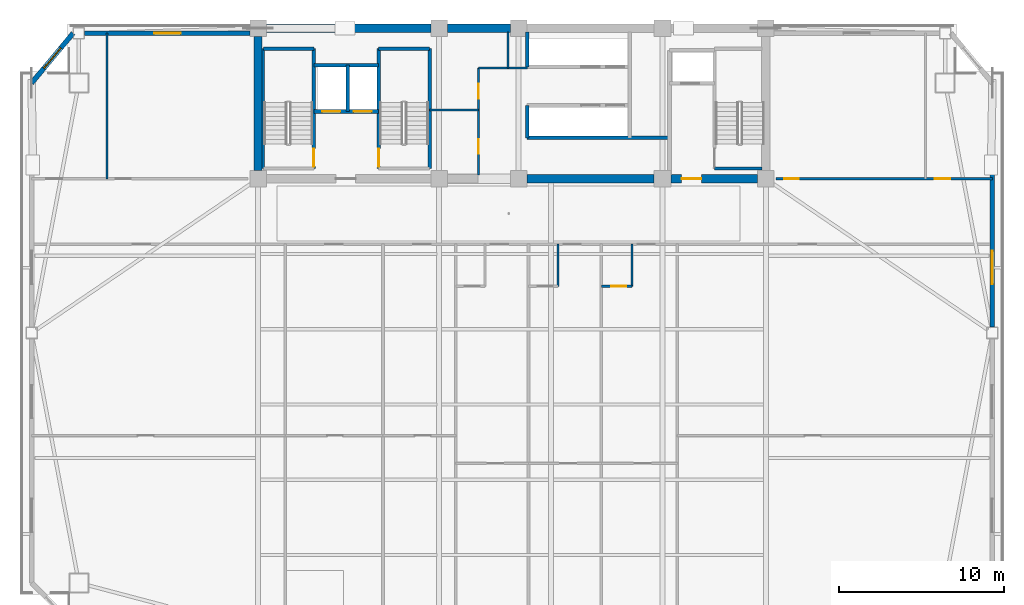
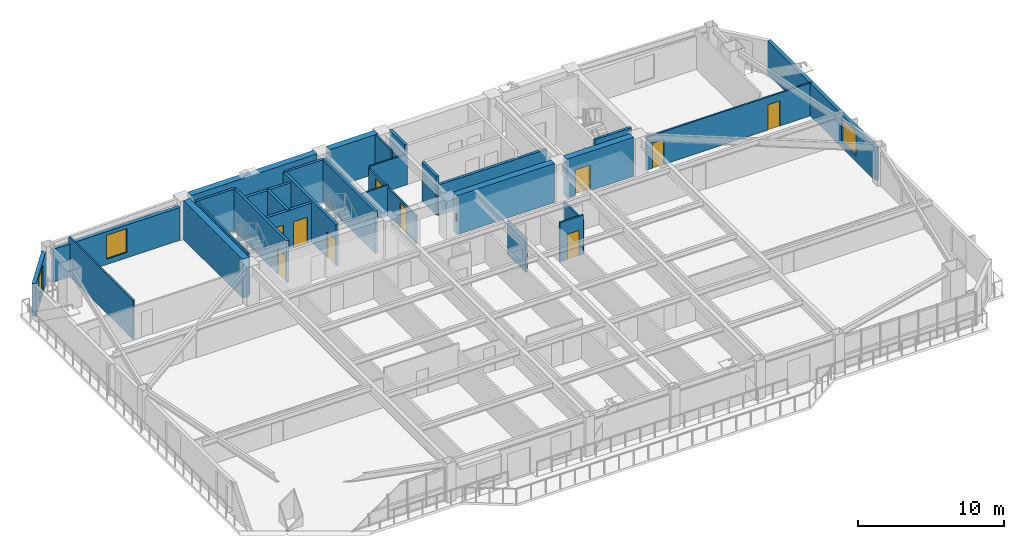
# One storey, part 9 of 15: 30 walls, 10 doors, 3 windows, 13 openings.
"""IFC4 building model written with IfcOpenShell, lengths in metres."""

import ifcopenshell
import ifcopenshell.guid

model = None  # the IFC model being written
_history = None  # IfcOwnerHistory: only IFC2X3 demands one
_inside = {}  # id of a spatial element -> (the spatial element, [elements in it])
_under = {}  # id of a project, library or spatial element -> (it, [spatial elements below it])
_declared = {}  # id of a project -> (the project, [libraries it declares])
_typed = {}  # id of a type object -> (the type object, [elements of that type])
_made_of = {}  # id of a material, layer set ... -> (it, [elements and type objects made of it])


def new_model(schema):
    """Start an empty IFC model of exactly this schema.

    Asked for "IFC4X3", IfcOpenShell would pick the latest addendum, in which some entities
    have other attributes; the version numbers below select the first issue.
    IFC2X3 requires an IfcOwnerHistory on every rooted entity: one is made here for all.
    """
    global model, _history
    if schema == "IFC4X3":
        model = ifcopenshell.file(schema_version=(4, 3, 0, 0))
    else:
        model = ifcopenshell.file(schema=schema)
    _inside.clear()
    _under.clear()
    _declared.clear()
    _typed.clear()
    _made_of.clear()
    _history = None
    if model.schema == "IFC2X3":
        org = make("IfcOrganization", Name="unknown")
        user = make(
            "IfcPersonAndOrganization",
            ThePerson=make("IfcPerson", FamilyName="unknown"),
            TheOrganization=org,
        )
        app = make(
            "IfcApplication",
            ApplicationDeveloper=org,
            Version="unknown",
            ApplicationFullName="unknown",
            ApplicationIdentifier="unknown",
        )
        _history = make(
            "IfcOwnerHistory",
            OwningUser=user,
            OwningApplication=app,
            ChangeAction="ADDED",
            CreationDate=0,
        )
    return model


def make(cls, **values):
    """One entity of the class cls with the attributes given. An attribute that is None is left unset."""
    return model.create_entity(
        cls, **{name: value for name, value in values.items() if value is not None}
    )


def rooted(cls, **values):
    """An entity with a GlobalId (a new one), such as an element, a storey or a relation."""
    return make(cls, GlobalId=ifcopenshell.guid.new(), OwnerHistory=_history, **values)


def si_unit(unit_type, name, prefix=None):
    """IfcSIUnit, for example si_unit("LENGTHUNIT", "METRE", prefix="MILLI")."""
    return make("IfcSIUnit", UnitType=unit_type, Prefix=prefix, Name=name)


def assignment(units):
    """IfcUnitAssignment: the units of a project."""
    return None if units is None else make("IfcUnitAssignment", Units=units)


def point(xyz):
    """IfcCartesianPoint."""
    return None if xyz is None else make("IfcCartesianPoint", Coordinates=xyz)


def direction(xyz):
    """IfcDirection."""
    return None if xyz is None else make("IfcDirection", DirectionRatios=xyz)


def frame(location, z_axis=None, x_axis=None):
    """IfcAxis2Placement3D, a coordinate frame: its origin and axes. An axis left out is left unset."""
    return make(
        "IfcAxis2Placement3D",
        Location=point(location),
        Axis=direction(z_axis),
        RefDirection=direction(x_axis),
    )


def frame_2d(location, x_axis=None):
    """IfcAxis2Placement2D, a coordinate frame in the plane: its origin and x axis."""
    return make(
        "IfcAxis2Placement2D", Location=point(location), RefDirection=direction(x_axis)
    )


def origin():
    """The frame at (0, 0, 0) with its axes left unset."""
    return frame((0.0, 0.0, 0.0))


def place(relative_to, where):
    """IfcLocalPlacement: puts the frame where relative to a parent placement (None: the world)."""
    return make(
        "IfcLocalPlacement", PlacementRelTo=relative_to, RelativePlacement=where
    )


def context(
    kind, dimensions, precision=None, world=None, true_north=None, identifier=None
):
    """IfcGeometricRepresentationContext, for example the 3D "Model" context."""
    return make(
        "IfcGeometricRepresentationContext",
        ContextIdentifier=identifier,
        ContextType=kind,
        CoordinateSpaceDimension=dimensions,
        Precision=precision,
        WorldCoordinateSystem=world,
        TrueNorth=true_north,
    )


def subcontext(parent, identifier, kind, view, scale=None):
    """IfcGeometricRepresentationSubContext, for example "Body" below "Model"."""
    return make(
        "IfcGeometricRepresentationSubContext",
        ContextIdentifier=identifier,
        ContextType=kind,
        ParentContext=parent,
        TargetScale=scale,
        TargetView=view,
    )


def project(units=None, contexts=None):
    """IfcProject with its units and contexts."""
    return rooted(
        "IfcProject",
        Name="project",
        RepresentationContexts=contexts,
        UnitsInContext=assignment(units),
    )


def spatial(cls, under=None, at=None, **own):
    """A site, building, storey or space (cls), placed at a placement, below another one or the project."""
    s = rooted(cls, ObjectPlacement=at, **own)
    if under is not None:
        _under.setdefault(under.id(), (under, []))[1].append(s)
    return s


def profile(cls, at=None, kind="AREA", **sizes):
    """A parametric profile (cls). Its sizes go by their IFC names, for example OverallWidth=200.0."""
    return make(cls, ProfileType=kind, Position=at, **sizes)


def rectangle(**sizes):
    """IfcRectangleProfileDef."""
    return profile("IfcRectangleProfileDef", **sizes)


def extrude(swept, where, along, depth):
    """IfcExtrudedAreaSolid: the profile swept, set in the frame where, extruded along a direction by depth."""
    return make(
        "IfcExtrudedAreaSolid",
        SweptArea=swept,
        Position=where,
        ExtrudedDirection=direction(along),
        Depth=depth,
    )


def shape(context_of_items, identifier, shape_type, items):
    """IfcShapeRepresentation: the items that make up one representation, for example the "Body"."""
    return make(
        "IfcShapeRepresentation",
        ContextOfItems=context_of_items,
        RepresentationIdentifier=identifier,
        RepresentationType=shape_type,
        Items=items,
    )


def source(mapping_origin, context_of_items, identifier, shape_type, items):
    """IfcRepresentationMap: a shape defined once, which mapped items show again and again."""
    return make(
        "IfcRepresentationMap",
        MappingOrigin=mapping_origin,
        MappedRepresentation=shape(context_of_items, identifier, shape_type, items),
    )


def transform(
    local_origin,
    x_axis=None,
    y_axis=None,
    z_axis=None,
    scale=None,
    scale2=None,
    scale3=None,
    uniform=True,
):
    """IfcCartesianTransformationOperator3D, or its non-uniform kind. x_axis, y_axis, z_axis: its Axis1, 2, 3."""
    if uniform:
        return make(
            "IfcCartesianTransformationOperator3D",
            Axis1=direction(x_axis),
            Axis2=direction(y_axis),
            LocalOrigin=point(local_origin),
            Scale=scale,
            Axis3=direction(z_axis),
        )
    return make(
        "IfcCartesianTransformationOperator3DnonUniform",
        Axis1=direction(x_axis),
        Axis2=direction(y_axis),
        LocalOrigin=point(local_origin),
        Scale=scale,
        Axis3=direction(z_axis),
        Scale2=scale2,
        Scale3=scale3,
    )


def mapped(mapping_source, mapping_target):
    """IfcMappedItem: shows the shape of a source again, moved by a transform."""
    return make(
        "IfcMappedItem", MappingSource=mapping_source, MappingTarget=mapping_target
    )


def material(Name=None, Category=None):
    """IfcMaterial."""
    return make("IfcMaterial", Name=Name, Category=Category)


def layer(
    of_material, thickness, ventilated=None, Name=None, Category=None, Priority=None
):
    """IfcMaterialLayer: one layer of a wall or slab, of a material (None: an air gap)."""
    return make(
        "IfcMaterialLayer",
        Material=of_material,
        LayerThickness=thickness,
        IsVentilated=ventilated,
        Name=Name,
        Category=Category,
        Priority=Priority,
    )


def layer_set(layers, Name=None):
    """IfcMaterialLayerSet."""
    return make("IfcMaterialLayerSet", MaterialLayers=layers, LayerSetName=Name)


def made_of(thing, what):
    """Note that an element or type object is made of a material, layer set ...; save() writes the relation."""
    if what is not None:
        _made_of.setdefault(what.id(), (what, []))[1].append(thing)
    return thing


def type_object(cls, material=None, **own):
    """A type object (cls), such as IfcWallType, which elements share."""
    return made_of(rooted(cls, **own), material)


def element(
    cls,
    number,
    at=None,
    inside=None,
    cuts=None,
    type_object=None,
    material=None,
    context=None,
    identifier="Body",
    shape_type=None,
    held_by="IfcProductDefinitionShape",
    body=None,
    shapes=None,
    **own,
):
    """One element of the class cls, such as IfcWall. Its Tag is "e" and its number.

    at: its placement. inside: the storey or other place that contains it. cuts: it is an
    opening in that element (IfcRelVoidsElement). A single representation is given by context,
    identifier, shape_type and body (its items); several are given by shapes. held_by: the class
    of the entity that holds the representations. save() writes the other relations.
    """
    e = rooted(cls, Tag="e%d" % number, ObjectPlacement=at, **own)
    if body is not None:
        shapes = [shape(context, identifier, shape_type, body)]
    if shapes is not None:
        e.Representation = make(held_by, Representations=shapes)
    if inside is not None:
        _inside.setdefault(inside.id(), (inside, []))[1].append(e)
    if cuts is not None:
        rooted(
            "IfcRelVoidsElement", RelatingBuildingElement=cuts, RelatedOpeningElement=e
        )
    if type_object is not None:
        _typed.setdefault(type_object.id(), (type_object, []))[1].append(e)
    return made_of(e, material)


def fill(opening, filler):
    """IfcRelFillsElement: the door or window that sits in an opening."""
    return rooted(
        "IfcRelFillsElement",
        RelatingOpeningElement=opening,
        RelatedBuildingElement=filler,
    )


def aggregate(whole, parts):
    """IfcRelAggregates: a whole, such as a stair, and the parts it consists of."""
    return rooted("IfcRelAggregates", RelatingObject=whole, RelatedObjects=parts)


def save(model, path):
    """Write the relations noted so far, then the file.

    IfcRelAggregates (storeys below a building ...), IfcRelContainedInSpatialStructure (elements
    in a storey), IfcRelDefinesByType, IfcRelAssociatesMaterial and IfcRelDeclares: one each for
    every whole, place, type object, material and project.
    """
    for whole, parts in _under.values():
        aggregate(whole, parts)
    for where, things in _inside.values():
        rooted(
            "IfcRelContainedInSpatialStructure",
            RelatedElements=things,
            RelatingStructure=where,
        )
    for kind, things in _typed.values():
        rooted("IfcRelDefinesByType", RelatedObjects=things, RelatingType=kind)
    for what, things in _made_of.values():
        rooted("IfcRelAssociatesMaterial", RelatedObjects=things, RelatingMaterial=what)
    for by, libraries in _declared.values():
        rooted("IfcRelDeclares", RelatingContext=by, RelatedDefinitions=libraries)
    model.write(path)


model = new_model("IFC4")

# Units and contexts
model_context = context("Model", 3, precision=1e-05, world=origin(), true_north=direction((0.0, 1.0)))
body_context = subcontext(model_context, "Body", "Model", "MODEL_VIEW")
ifc_project = project(units=[si_unit("LENGTHUNIT", "METRE"), si_unit("AREAUNIT", "SQUARE_METRE"), si_unit("VOLUMEUNIT", "CUBIC_METRE"), si_unit("PLANEANGLEUNIT", "RADIAN"), si_unit("MASSUNIT", "GRAM", prefix="KILO")], contexts=[model_context])

# Site, building, storey
site_placement = place(None, origin())
site = spatial("IfcSite", under=ifc_project, at=site_placement, CompositionType="ELEMENT")
building_placement = place(site_placement, origin())
building = spatial("IfcBuilding", under=site, at=building_placement, Name="Giltprow Tower", CompositionType="ELEMENT")
storey_placement = place(building_placement, frame((0.0, 0.0, 180.699951171875)))
storey = spatial("IfcBuildingStorey", under=building, at=storey_placement, Name="L45", CompositionType="ELEMENT", Elevation=180.699951171875)

# Wall, opening, window
ifc_material_1 = material(Name="Precast concrete C40", Category="concrete")
ifc_layer_1 = layer(ifc_material_1, 0.300048828125, Name="Precast concrete C40")
ifc_layer_set_1 = layer_set([ifc_layer_1], Name="Precast concrete C40")
wall_type_1 = type_object("IfcWallType", Name="EW-NOTCH-CHAMFER-300", PredefinedType="SOLIDWALL", material=ifc_layer_set_1)
wall_1_placement = place(storey_placement, frame((8.6650390625, 46.25, 0.0), z_axis=(0.0, 0.0, 1.0), x_axis=(-0.640459985381, -0.767991541051, 0.0)))
wall_1 = element("IfcWall", 1, at=wall_1_placement, inside=storey, type_object=wall_type_1, Name="L45 Corner Notch Wall NW", PredefinedType="SOLIDWALL", context=body_context, shape_type="SweptSolid", body=[
    extrude(rectangle(XDim=3.920654296875, YDim=0.300048828125, at=frame_2d((1.96044921875, 0.0))), origin(), (0.0, 0.0, 1.0), 2.75),
])
opening_1_placement = place(wall_1_placement, frame((1.159912109375, 0.0, 0.449951171875)))
opening_1 = element("IfcOpeningElement", 2, at=opening_1_placement, cuts=wall_1, Name="Opening WN17", PredefinedType="OPENING", context=body_context, shape_type="SweptSolid", body=[
    extrude(rectangle(XDim=1.60009765625, YDim=2.0, at=frame_2d((0.800048828125, 1.0))), frame((0.0, 0.159912109375, 0.0), z_axis=(0.0, -1.0, 0.0), x_axis=(1.0, 0.0, 0.0)), (0.0, 0.0, 1.0), 0.320068359375),
])
ifc_material_2 = material(Name="Insulated glass", Category="glass")
window_type_1 = type_object("IfcWindowType", Name="WN-COR-1600x2000", PartitioningType="SINGLE_PANEL", PredefinedType="WINDOW", material=ifc_material_2)
shared_shape_1 = source(origin(), body_context, "Body", "SweptSolid", [
    extrude(rectangle(XDim=1.60009765625, YDim=2.0, at=frame_2d((0.800048828125, 1.0))), frame((0.0, 0.030029296875, 0.0), z_axis=(0.0, -1.0, 0.0), x_axis=(1.0, 0.0, 0.0)), (0.0, 0.0, 1.0), 0.06005859375),
])
window_1_placement = place(opening_1_placement, origin())
window_1 = element("IfcWindow", 3, at=window_1_placement, inside=storey, type_object=window_type_1, Name="L45 Corner Notch Window NW", OverallHeight=2.0, OverallWidth=1.60009765625, PartitioningType="SINGLE_PANEL", PredefinedType="WINDOW", context=body_context, shape_type="MappedRepresentation", body=[
    mapped(shared_shape_1, transform((0.0, 0.0, 0.0), x_axis=(1.0, 0.0, 0.0), y_axis=(0.0, 1.0, 0.0), z_axis=(0.0, 0.0, 1.0), scale=1.0)),
])
fill(opening_1, window_1)

ifc_layer_2 = layer(ifc_material_1, 0.280029296875, Name="Precast concrete C40")
ifc_layer_set_2 = layer_set([ifc_layer_2], Name="Precast concrete C40")
wall_type_2 = type_object("IfcWallType", Name="EW-TOW-BRONZE-280", PredefinedType="SOLIDWALL", material=ifc_layer_set_2)
wall_2_placement = place(storey_placement, frame((64.2470703125, 28.47705078125, 0.0), z_axis=(0.0, 0.0, 1.0), x_axis=(0.0, 1.0, 0.0)))
wall_2 = element("IfcWall", 4, at=wall_2_placement, inside=storey, type_object=wall_type_2, Name="L45 E Wing Masonry Wall 2", PredefinedType="SOLIDWALL", context=body_context, shape_type="SweptSolid", body=[
    extrude(rectangle(XDim=14.761962890625, YDim=0.280029296875, at=frame_2d((7.380859375, 0.0))), origin(), (0.0, 0.0, 1.0), 2.75),
])
opening_2_placement = place(wall_2_placement, frame((2.60791015625, 0.0, 0.449951171875)))
opening_2 = element("IfcOpeningElement", 5, at=opening_2_placement, cuts=wall_2, Name="Opening WN21", PredefinedType="OPENING", context=body_context, shape_type="SweptSolid", body=[
    extrude(rectangle(XDim=2.0, YDim=2.0, at=frame_2d((1.0, 1.0))), frame((0.0, 0.14990234375, 0.0), z_axis=(0.0, -1.0, 0.0), x_axis=(1.0, 0.0, 0.0)), (0.0, 0.0, 1.0), 0.300048828125),
])
window_type_2 = type_object("IfcWindowType", Name="WN-HTL-2000x2000", PartitioningType="DOUBLE_PANEL_VERTICAL", PredefinedType="WINDOW", material=ifc_material_2)
shared_shape_2 = source(origin(), body_context, "Body", "SweptSolid", [
    extrude(rectangle(XDim=2.0, YDim=2.0, at=frame_2d((1.0, 1.0))), frame((0.0, 0.030029296875, 0.0), z_axis=(0.0, -1.0, 0.0), x_axis=(1.0, 0.0, 0.0)), (0.0, 0.0, 1.0), 0.06005859375),
])
window_2_placement = place(opening_2_placement, origin())
window_2 = element("IfcWindow", 6, at=window_2_placement, inside=storey, type_object=window_type_2, Name="L45 E Wing Window 2-1", OverallHeight=2.0, OverallWidth=2.0, PartitioningType="SINGLE_PANEL", PredefinedType="WINDOW", context=body_context, shape_type="MappedRepresentation", body=[
    mapped(shared_shape_2, transform((0.0, 0.0, 0.0), x_axis=(1.0, 0.0, 0.0), y_axis=(0.0, 1.0, 0.0), z_axis=(0.0, 0.0, 1.0), scale=1.0)),
])
fill(opening_2, window_2)

wall_3_placement = place(storey_placement, frame((9.364990234375, 46.25, 0.0), z_axis=(0.0, 0.0, 1.0), x_axis=(1.0, 0.0, 0.0)))
wall_3 = element("IfcWall", 7, at=wall_3_placement, inside=storey, type_object=wall_type_2, Name="L45 North-West Wing Wall", PredefinedType="SOLIDWALL", context=body_context, shape_type="SweptSolid", body=[
    extrude(rectangle(XDim=9.985107421875, YDim=0.280029296875, at=frame_2d((4.99267578125, 0.0))), origin(), (0.0, 0.0, 1.0), 2.75),
])
opening_3_placement = place(wall_3_placement, frame((4.193115234375, 0.0, 0.449951171875)))
opening_3 = element("IfcOpeningElement", 8, at=opening_3_placement, cuts=wall_3, Name="Opening WN17", PredefinedType="OPENING", context=body_context, shape_type="SweptSolid", body=[
    extrude(rectangle(XDim=1.60009765625, YDim=2.0, at=frame_2d((0.800048828125, 1.0))), frame((0.0, 0.14990234375, 0.0), z_axis=(0.0, -1.0, 0.0), x_axis=(1.0, 0.0, 0.0)), (0.0, 0.0, 1.0), 0.300048828125),
])
window_3_placement = place(opening_3_placement, origin())
window_3 = element("IfcWindow", 9, at=window_3_placement, inside=storey, type_object=window_type_1, Name="L45 North-West Window", OverallHeight=2.0, OverallWidth=1.60009765625, PartitioningType="SINGLE_PANEL", PredefinedType="WINDOW", context=body_context, shape_type="MappedRepresentation", body=[
    mapped(shared_shape_1, transform((0.0, 0.0, 0.0), x_axis=(1.0, 0.0, 0.0), y_axis=(0.0, 1.0, 0.0), z_axis=(0.0, 0.0, 1.0), scale=1.0)),
])
fill(opening_3, window_3)

# Wall, openings, doors
ifc_material_3 = material(Name="Concrete C40", Category="concrete")
ifc_layer_3 = layer(ifc_material_3, 0.219970703125, Name="Concrete C40")
ifc_layer_set_3 = layer_set([ifc_layer_3], Name="Concrete C40")
wall_type_3 = type_object("IfcWallType", Name="IW-SHAFT-220", PredefinedType="SOLIDWALL", material=ifc_layer_set_3)
wall_4_placement = place(storey_placement, frame((23.219970703125, 41.52001953125, 0.0), z_axis=(0.0, 0.0, 1.0), x_axis=(1.0, 0.0, 0.0)))
wall_4 = element("IfcWall", 10, at=wall_4_placement, inside=storey, type_object=wall_type_3, Name="L45 FFL1 and Service Lift Front Wall", PredefinedType="SOLIDWALL", context=body_context, shape_type="SweptSolid", body=[
    extrude(rectangle(XDim=3.919921875, YDim=0.219970703125, at=frame_2d((1.9599609375, 0.0))), origin(), (0.0, 0.0, 1.0), 3.27001953125),
])
opening_4_placement = place(wall_4_placement, frame((0.5, 0.0, 0.0)))
opening_4 = element("IfcOpeningElement", 11, at=opening_4_placement, cuts=wall_4, Name="Opening LD-11", PredefinedType="OPENING", context=body_context, shape_type="SweptSolid", body=[
    extrude(rectangle(XDim=1.10009765625, YDim=2.199951171875, at=frame_2d((0.550048828125, 1.10009765625))), frame((0.0, 0.119873046875, 0.0), z_axis=(0.0, -1.0, 0.0), x_axis=(1.0, 0.0, 0.0)), (0.0, 0.0, 1.0), 0.239990234375),
])
opening_5_placement = place(wall_4_placement, frame((2.39990234375, 0.0, 0.0)))
opening_5 = element("IfcOpeningElement", 12, at=opening_5_placement, cuts=wall_4, Name="Opening LD-11", PredefinedType="OPENING", context=body_context, shape_type="SweptSolid", body=[
    extrude(rectangle(XDim=1.10009765625, YDim=2.199951171875, at=frame_2d((0.550048828125, 1.10009765625))), frame((0.0, 0.119873046875, 0.0), z_axis=(0.0, -1.0, 0.0), x_axis=(1.0, 0.0, 0.0)), (0.0, 0.0, 1.0), 0.239990234375),
])
ifc_material_4 = material(Name="Stainless steel", Category="steel")
door_type_1 = type_object("IfcDoorType", Name="DR-LIFT-LD1100", OperationType="SLIDING_TO_LEFT", PredefinedType="DOOR", material=ifc_material_4)
shared_shape_3 = source(origin(), body_context, "Body", "SweptSolid", [
    extrude(rectangle(XDim=1.10009765625, YDim=2.199951171875, at=frame_2d((0.550048828125, 1.10009765625))), frame((0.0, 0.02490234375, 0.0), z_axis=(0.0, -1.0, 0.0), x_axis=(1.0, 0.0, 0.0)), (0.0, 0.0, 1.0), 0.050048828125),
])
door_1_placement = place(opening_4_placement, origin())
door_1 = element("IfcDoor", 13, at=door_1_placement, inside=storey, type_object=door_type_1, Name="L45 FFL1 Landing Door", OperationType="SLIDING_TO_LEFT", OverallHeight=2.199951171875, OverallWidth=1.10009765625, PredefinedType="DOOR", context=body_context, shape_type="MappedRepresentation", body=[
    mapped(shared_shape_3, transform((0.0, 0.0, 0.0), x_axis=(1.0, 0.0, 0.0), y_axis=(0.0, 1.0, 0.0), z_axis=(0.0, 0.0, 1.0), scale=1.0)),
])
fill(opening_4, door_1)
door_2_placement = place(opening_5_placement, origin())
door_2 = element("IfcDoor", 14, at=door_2_placement, inside=storey, type_object=door_type_1, Name="L45 SVL1 Landing Door", OperationType="SLIDING_TO_LEFT", OverallHeight=2.199951171875, OverallWidth=1.10009765625, PredefinedType="DOOR", context=body_context, shape_type="MappedRepresentation", body=[
    mapped(shared_shape_3, transform((0.0, 0.0, 0.0), x_axis=(1.0, 0.0, 0.0), y_axis=(0.0, 1.0, 0.0), z_axis=(0.0, 0.0, 1.0), scale=1.0)),
])
fill(opening_5, door_2)

# Walls
wall_5_placement = place(storey_placement, frame((25.260009765625, 41.52001953125, 0.0), z_axis=(0.0, 0.0, 1.0), x_axis=(0.0, 1.0, 0.0)))
element("IfcWall", 15, at=wall_5_placement, inside=storey, type_object=wall_type_3, Name="L45 FFL1-SVL1 Shaft Divider", PredefinedType="SOLIDWALL", context=body_context, shape_type="SweptSolid", body=[
    extrude(rectangle(XDim=2.800048828125, YDim=0.219970703125, at=frame_2d((1.39990234375, 0.0))), origin(), (0.0, 0.0, 1.0), 3.27001953125),
])
wall_6_placement = place(storey_placement, frame((23.219970703125, 44.320068359375, 0.0), z_axis=(0.0, 0.0, 1.0), x_axis=(1.0, 0.0, 0.0)))
element("IfcWall", 16, at=wall_6_placement, inside=storey, type_object=wall_type_3, Name="L45 FFL1-SVL1 Back Shaft Wall", PredefinedType="SOLIDWALL", context=body_context, shape_type="SweptSolid", body=[
    extrude(rectangle(XDim=3.919921875, YDim=0.219970703125, at=frame_2d((1.9599609375, 0.0))), origin(), (0.0, 0.0, 1.0), 3.27001953125),
])
wall_7_placement = place(storey_placement, frame((36.1201171875, 39.919921875, 0.0), z_axis=(0.0, 0.0, 1.0), x_axis=(1.0, 0.0, 0.0)))
element("IfcWall", 17, at=wall_7_placement, inside=storey, type_object=wall_type_3, Name="L45 Mid-Rise South Lift Back Wall", PredefinedType="SOLIDWALL", context=body_context, shape_type="SweptSolid", body=[
    extrude(rectangle(XDim=8.599853515625, YDim=0.219970703125, at=frame_2d((4.2998046875, 0.0))), origin(), (0.0, 0.0, 1.0), 2.554931640625),
])
wall_8_placement = place(storey_placement, frame((36.1201171875, 39.919921875, 0.0), z_axis=(0.0, 0.0, 1.0), x_axis=(0.0, 1.0, 0.0)))
element("IfcWall", 18, at=wall_8_placement, inside=storey, type_object=wall_type_3, Name="L45 Mid-Rise South Lift West Closure", PredefinedType="SOLIDWALL", context=body_context, shape_type="SweptSolid", body=[
    extrude(rectangle(XDim=1.9599609375, YDim=0.219970703125, at=frame_2d((0.97998046875, 0.0))), origin(), (0.0, 0.0, 1.0), 3.27001953125),
])
wall_9_placement = place(storey_placement, frame((36.1201171875, 44.219970703125, 0.0), z_axis=(0.0, 0.0, 1.0), x_axis=(0.0, 1.0, 0.0)))
element("IfcWall", 19, at=wall_9_placement, inside=storey, type_object=wall_type_3, Name="L45 Mid-Rise North Lift West Closure", PredefinedType="SOLIDWALL", context=body_context, shape_type="SweptSolid", body=[
    extrude(rectangle(XDim=2.10009765625, YDim=0.219970703125, at=frame_2d((1.050048828125, 0.0))), origin(), (0.0, 0.0, 1.0), 3.27001953125),
])
ifc_material_5 = material(Name="Concrete C45", Category="concrete")
ifc_layer_4 = layer(ifc_material_5, 0.139892578125, Name="Concrete C45")
ifc_layer_set_4 = layer_set([ifc_layer_4], Name="Concrete C45")
wall_type_4 = type_object("IfcWallType", Name="IW-STAIR-140", PredefinedType="SOLIDWALL", material=ifc_layer_set_4)
wall_10_placement = place(storey_placement, frame((20.169921875, 38.070068359375, 0.0), z_axis=(0.0, 0.0, 1.0), x_axis=(0.0, 1.0, 0.0)))
element("IfcWall", 20, at=wall_10_placement, inside=storey, type_object=wall_type_4, Name="L45 Stair ST-1 West Bearing Wall", PredefinedType="SOLIDWALL", context=body_context, shape_type="SweptSolid", body=[
    extrude(rectangle(XDim=7.25, YDim=0.139892578125, at=frame_2d((3.625, 0.0))), origin(), (0.0, 0.0, 1.0), 3.5),
])

# Wall, opening, door
ifc_layer_5 = layer(ifc_material_3, 0.199951171875, Name="Concrete C40")
ifc_layer_set_5 = layer_set([ifc_layer_5], Name="Concrete C40")
wall_type_5 = type_object("IfcWallType", Name="IW-STAIR-200", PredefinedType="SOLIDWALL", material=ifc_layer_set_5)
wall_11_placement = place(storey_placement, frame((23.219970703125, 38.070068359375, 0.0), z_axis=(0.0, 0.0, 1.0), x_axis=(0.0, 1.0, 0.0)))
wall_11 = element("IfcWall", 21, at=wall_11_placement, inside=storey, type_object=wall_type_5, Name="L45 Stair ST-1 East Bearing Wall", PredefinedType="SOLIDWALL", context=body_context, shape_type="SweptSolid", body=[
    extrude(rectangle(XDim=7.25, YDim=0.199951171875, at=frame_2d((3.625, 0.0))), origin(), (0.0, 0.0, 1.0), 3.5),
])
opening_6_placement = place(wall_11_placement, frame((0.110107421875, 0.0, 0.0)))
opening_6 = element("IfcOpeningElement", 22, at=opening_6_placement, cuts=wall_11, Name="Opening ID33", PredefinedType="OPENING", context=body_context, shape_type="SweptSolid", body=[
    extrude(rectangle(XDim=1.10009765625, YDim=2.14990234375, at=frame_2d((0.550048828125, 1.074951171875))), frame((0.0, 0.10986328125, 0.0), z_axis=(0.0, -1.0, 0.0), x_axis=(1.0, 0.0, 0.0)), (0.0, 0.0, 1.0), 0.219970703125),
])
ifc_material_6 = material(Name="Steel fire leaf", Category="steel")
door_type_2 = type_object("IfcDoorType", Name="DR-STAIR-1100", OperationType="SINGLE_SWING_LEFT", PredefinedType="DOOR", material=ifc_material_6)
shared_shape_4 = source(origin(), body_context, "Body", "SweptSolid", [
    extrude(rectangle(XDim=1.10009765625, YDim=2.14990234375, at=frame_2d((0.550048828125, 1.074951171875))), frame((0.0, 0.02490234375, 0.0), z_axis=(0.0, -1.0, 0.0), x_axis=(1.0, 0.0, 0.0)), (0.0, 0.0, 1.0), 0.050048828125),
])
door_3_placement = place(opening_6_placement, origin())
door_3 = element("IfcDoor", 23, at=door_3_placement, inside=storey, type_object=door_type_2, Name="L45 Stair ST-1 Fire Door", OperationType="SINGLE_SWING_LEFT", OverallHeight=2.14990234375, OverallWidth=1.10009765625, PredefinedType="DOOR", context=body_context, shape_type="MappedRepresentation", body=[
    mapped(shared_shape_4, transform((0.0, 0.0, 0.0), x_axis=(1.0, 0.0, 0.0), y_axis=(0.0, 1.0, 0.0), z_axis=(0.0, 0.0, 1.0), scale=1.0)),
])
fill(opening_6, door_3)

# Wall
wall_12_placement = place(storey_placement, frame((20.169921875, 45.320068359375, 0.0), z_axis=(0.0, 0.0, 1.0), x_axis=(1.0, 0.0, 0.0)))
element("IfcWall", 24, at=wall_12_placement, inside=storey, type_object=wall_type_5, Name="L45 Stair ST-1 North Bearing Wall", PredefinedType="SOLIDWALL", context=body_context, shape_type="SweptSolid", body=[
    extrude(rectangle(XDim=3.050048828125, YDim=0.199951171875, at=frame_2d((1.52490234375, 0.0))), origin(), (0.0, 0.0, 1.0), 3.5),
])

# Wall, opening, door
wall_13_placement = place(storey_placement, frame((27.139892578125, 38.070068359375, 0.0), z_axis=(0.0, 0.0, 1.0), x_axis=(0.0, 1.0, 0.0)))
wall_13 = element("IfcWall", 25, at=wall_13_placement, inside=storey, type_object=wall_type_5, Name="L45 Stair ST-2 West Bearing Wall", PredefinedType="SOLIDWALL", context=body_context, shape_type="SweptSolid", body=[
    extrude(rectangle(XDim=7.25, YDim=0.199951171875, at=frame_2d((3.625, 0.0))), origin(), (0.0, 0.0, 1.0), 3.5),
])
opening_7_placement = place(wall_13_placement, frame((0.110107421875, 0.0, 0.0)))
opening_7 = element("IfcOpeningElement", 26, at=opening_7_placement, cuts=wall_13, Name="Opening ID33", PredefinedType="OPENING", context=body_context, shape_type="SweptSolid", body=[
    extrude(rectangle(XDim=1.10009765625, YDim=2.14990234375, at=frame_2d((0.550048828125, 1.074951171875))), frame((0.0, 0.10986328125, 0.0), z_axis=(0.0, -1.0, 0.0), x_axis=(1.0, 0.0, 0.0)), (0.0, 0.0, 1.0), 0.219970703125),
])
door_4_placement = place(opening_7_placement, origin())
door_4 = element("IfcDoor", 27, at=door_4_placement, inside=storey, type_object=door_type_2, Name="L45 Stair ST-2 Fire Door", OperationType="SINGLE_SWING_RIGHT", OverallHeight=2.14990234375, OverallWidth=1.10009765625, PredefinedType="DOOR", context=body_context, shape_type="MappedRepresentation", body=[
    mapped(shared_shape_4, transform((0.0, 0.0, 0.0), x_axis=(1.0, 0.0, 0.0), y_axis=(0.0, 1.0, 0.0), z_axis=(0.0, 0.0, 1.0), scale=1.0)),
])
fill(opening_7, door_4)

# Walls
wall_14_placement = place(storey_placement, frame((30.219970703125, 38.070068359375, 0.0), z_axis=(0.0, 0.0, 1.0), x_axis=(0.0, 1.0, 0.0)))
element("IfcWall", 28, at=wall_14_placement, inside=storey, type_object=wall_type_5, Name="L45 Stair ST-2 East Bearing Wall", PredefinedType="SOLIDWALL", context=body_context, shape_type="SweptSolid", body=[
    extrude(rectangle(XDim=7.25, YDim=0.199951171875, at=frame_2d((3.625, 0.0))), origin(), (0.0, 0.0, 1.0), 3.5),
])
wall_15_placement = place(storey_placement, frame((27.139892578125, 45.320068359375, 0.0), z_axis=(0.0, 0.0, 1.0), x_axis=(1.0, 0.0, 0.0)))
element("IfcWall", 29, at=wall_15_placement, inside=storey, type_object=wall_type_5, Name="L45 Stair ST-2 North Bearing Wall", PredefinedType="SOLIDWALL", context=body_context, shape_type="SweptSolid", body=[
    extrude(rectangle(XDim=3.080078125, YDim=0.199951171875, at=frame_2d((1.5400390625, 0.0))), origin(), (0.0, 0.0, 1.0), 3.5),
])
wall_16_placement = place(storey_placement, frame((47.43994140625, 38.070068359375, 0.0), z_axis=(0.0, 0.0, 1.0), x_axis=(1.0, 0.0, 0.0)))
element("IfcWall", 30, at=wall_16_placement, inside=storey, type_object=wall_type_5, Name="L45 Stair ST-3 South Bearing Wall", PredefinedType="SOLIDWALL", context=body_context, shape_type="SweptSolid", body=[
    extrude(rectangle(XDim=2.880126953125, YDim=0.199951171875, at=frame_2d((1.43994140625, 0.0))), origin(), (0.0, 0.0, 1.0), 3.5),
])

# Wall, openings, doors
ifc_material_7 = material(Name="Concrete C30", Category="concrete")
ifc_layer_6 = layer(ifc_material_7, 0.1298828125, Name="Concrete C30")
ifc_layer_set_6 = layer_set([ifc_layer_6], Name="Concrete C30")
wall_type_6 = type_object("IfcWallType", Name="IW-WET-130", PredefinedType="PARTITIONING", material=ifc_layer_set_6)
wall_17_placement = place(storey_placement, frame((33.179931640625, 37.679931640625, 0.0), z_axis=(0.0, 0.0, 1.0), x_axis=(0.0, 1.0, 0.0)))
wall_17 = element("IfcWall", 31, at=wall_17_placement, inside=storey, type_object=wall_type_6, Name="L45 Reclaimed Core Room East Wall", PredefinedType="PARTITIONING", context=body_context, shape_type="SweptSolid", body=[
    extrude(rectangle(XDim=6.469970703125, YDim=0.1298828125, at=frame_2d((3.23486328125, 0.0))), origin(), (0.0, 0.0, 1.0), 2.35498046875),
])
opening_8_placement = place(wall_17_placement, frame((1.27001953125, 0.0, 0.0)))
opening_8 = element("IfcOpeningElement", 32, at=opening_8_placement, cuts=wall_17, Name="Opening ID35", PredefinedType="OPENING", context=body_context, shape_type="SweptSolid", body=[
    extrude(rectangle(XDim=0.89990234375, YDim=2.10009765625, at=frame_2d((0.449951171875, 1.050048828125))), frame((0.0, 0.074951171875, 0.0), z_axis=(0.0, -1.0, 0.0), x_axis=(1.0, 0.0, 0.0)), (0.0, 0.0, 1.0), 0.14990234375),
])
opening_9_placement = place(wall_17_placement, frame((4.6201171875, 0.0, 0.0)))
opening_9 = element("IfcOpeningElement", 33, at=opening_9_placement, cuts=wall_17, Name="Opening ID35", PredefinedType="OPENING", context=body_context, shape_type="SweptSolid", body=[
    extrude(rectangle(XDim=0.89990234375, YDim=2.10009765625, at=frame_2d((0.449951171875, 1.050048828125))), frame((0.0, 0.074951171875, 0.0), z_axis=(0.0, -1.0, 0.0), x_axis=(1.0, 0.0, 0.0)), (0.0, 0.0, 1.0), 0.14990234375),
])
door_type_3 = type_object("IfcDoorType", Name="DR-SHAFT-900", OperationType="SINGLE_SWING_LEFT", PredefinedType="DOOR", material=ifc_material_6)
shared_shape_5 = source(origin(), body_context, "Body", "SweptSolid", [
    extrude(rectangle(XDim=0.89990234375, YDim=2.10009765625, at=frame_2d((0.449951171875, 1.050048828125))), frame((0.0, 0.02490234375, 0.0), z_axis=(0.0, -1.0, 0.0), x_axis=(1.0, 0.0, 0.0)), (0.0, 0.0, 1.0), 0.050048828125),
])
door_5_placement = place(opening_8_placement, origin())
door_5 = element("IfcDoor", 34, at=door_5_placement, inside=storey, type_object=door_type_3, Name="L45 Housekeeping Room Door", OperationType="SINGLE_SWING_RIGHT", OverallHeight=2.10009765625, OverallWidth=0.89990234375, PredefinedType="DOOR", context=body_context, shape_type="MappedRepresentation", body=[
    mapped(shared_shape_5, transform((0.0, 0.0, 0.0), x_axis=(1.0, 0.0, 0.0), y_axis=(0.0, 1.0, 0.0), z_axis=(0.0, 0.0, 1.0), scale=1.0)),
])
fill(opening_8, door_5)
door_6_placement = place(opening_9_placement, origin())
door_6 = element("IfcDoor", 35, at=door_6_placement, inside=storey, type_object=door_type_3, Name="L45 Core Staff Washroom Door", OperationType="SINGLE_SWING_LEFT", OverallHeight=2.10009765625, OverallWidth=0.89990234375, PredefinedType="DOOR", context=body_context, shape_type="MappedRepresentation", body=[
    mapped(shared_shape_5, transform((0.0, 0.0, 0.0), x_axis=(1.0, 0.0, 0.0), y_axis=(0.0, 1.0, 0.0), z_axis=(0.0, 0.0, 1.0), scale=1.0)),
])
fill(opening_9, door_6)

# Walls
wall_18_placement = place(storey_placement, frame((34.949951171875, 44.14990234375, 0.0), z_axis=(0.0, 0.0, 1.0), x_axis=(0.0, 1.0, 0.0)))
element("IfcWall", 36, at=wall_18_placement, inside=storey, type_object=wall_type_6, Name="L45 Reclaimed North Pocket East Wall", PredefinedType="PARTITIONING", context=body_context, shape_type="SweptSolid", body=[
    extrude(rectangle(XDim=2.170166015625, YDim=0.1298828125, at=frame_2d((1.0849609375, 0.0))), origin(), (0.0, 0.0, 1.0), 3.27001953125),
])
wall_19_placement = place(storey_placement, frame((33.179931640625, 44.14990234375, 0.0), z_axis=(0.0, 0.0, 1.0), x_axis=(1.0, 0.0, 0.0)))
element("IfcWall", 37, at=wall_19_placement, inside=storey, type_object=wall_type_6, Name="L45 Reclaimed North Pocket South Wall", PredefinedType="PARTITIONING", context=body_context, shape_type="SweptSolid", body=[
    extrude(rectangle(XDim=2.969970703125, YDim=0.1298828125, at=frame_2d((1.48486328125, 0.0))), origin(), (0.0, 0.0, 1.0), 2.554931640625),
])
wall_20_placement = place(storey_placement, frame((30.219970703125, 41.60009765625, 0.0), z_axis=(0.0, 0.0, 1.0), x_axis=(1.0, 0.0, 0.0)))
element("IfcWall", 38, at=wall_20_placement, inside=storey, type_object=wall_type_6, Name="L45 Core Housekeeping Split", PredefinedType="PARTITIONING", context=body_context, shape_type="SweptSolid", body=[
    extrude(rectangle(XDim=2.9599609375, YDim=0.1298828125, at=frame_2d((1.47998046875, 0.0))), origin(), (0.0, 0.0, 1.0), 2.554931640625),
])
wall_21_placement = place(storey_placement, frame((37.97607421875, 30.949951171875, 0.0), z_axis=(0.0, 0.0, 1.0), x_axis=(0.0, 1.0, 0.0)))
element("IfcWall", 39, at=wall_21_placement, inside=storey, type_object=wall_type_6, Name="L45 En-Suite East Wall 5", PredefinedType="PARTITIONING", context=body_context, shape_type="SweptSolid", body=[
    extrude(rectangle(XDim=2.550048828125, YDim=0.1298828125, at=frame_2d((1.27490234375, 0.0))), origin(), (0.0, 0.0, 1.0), 2.804931640625),
])

# Wall, opening, door
wall_22_placement = place(storey_placement, frame((40.60009765625, 30.949951171875, 0.0), z_axis=(0.0, 0.0, 1.0), x_axis=(1.0, 0.0, 0.0)))
wall_22 = element("IfcWall", 40, at=wall_22_placement, inside=storey, type_object=wall_type_6, Name="L45 En-Suite South Wall 6", PredefinedType="PARTITIONING", context=body_context, shape_type="SweptSolid", body=[
    extrude(rectangle(XDim=1.85595703125, YDim=0.1298828125, at=frame_2d((0.927978515625, 0.0))), origin(), (0.0, 0.0, 1.0), 3.27001953125),
])
opening_10_placement = place(wall_22_placement, frame((0.597900390625, 0.0, 0.0)))
opening_10 = element("IfcOpeningElement", 41, at=opening_10_placement, cuts=wall_22, Name="Opening ID15", PredefinedType="OPENING", context=body_context, shape_type="SweptSolid", body=[
    extrude(rectangle(XDim=0.89990234375, YDim=2.10009765625, at=frame_2d((0.449951171875, 1.050048828125))), frame((0.0, 0.074951171875, 0.0), z_axis=(0.0, -1.0, 0.0), x_axis=(1.0, 0.0, 0.0)), (0.0, 0.0, 1.0), 0.14990234375),
])
ifc_material_8 = material(Name="Engineered timber", Category="wood")
door_type_4 = type_object("IfcDoorType", Name="DR-WC-900", OperationType="SINGLE_SWING_LEFT", PredefinedType="DOOR", material=ifc_material_8)
door_7_placement = place(opening_10_placement, origin())
door_7 = element("IfcDoor", 42, at=door_7_placement, inside=storey, type_object=door_type_4, Name="L45 En-Suite 6 Door", OperationType="SINGLE_SWING_LEFT", OverallHeight=2.10009765625, OverallWidth=0.89990234375, PredefinedType="DOOR", context=body_context, shape_type="MappedRepresentation", body=[
    mapped(shared_shape_5, transform((0.0, 0.0, 0.0), x_axis=(1.0, 0.0, 0.0), y_axis=(0.0, 1.0, 0.0), z_axis=(0.0, 0.0, 1.0), scale=1.0)),
])
fill(opening_10, door_7)

# Walls
wall_23_placement = place(storey_placement, frame((42.4560546875, 30.949951171875, 0.0), z_axis=(0.0, 0.0, 1.0), x_axis=(0.0, 1.0, 0.0)))
element("IfcWall", 43, at=wall_23_placement, inside=storey, type_object=wall_type_6, Name="L45 En-Suite East Wall 6", PredefinedType="PARTITIONING", context=body_context, shape_type="SweptSolid", body=[
    extrude(rectangle(XDim=2.550048828125, YDim=0.1298828125, at=frame_2d((1.27490234375, 0.0))), origin(), (0.0, 0.0, 1.0), 2.804931640625),
])
wall_24_placement = place(storey_placement, frame((10.705078125, 37.449951171875, 0.0), z_axis=(0.0, 0.0, 1.0), x_axis=(0.0, 1.0, 0.0)))
element("IfcWall", 44, at=wall_24_placement, inside=storey, type_object=wall_type_6, Name="L45 NW Wing Divider", PredefinedType="PARTITIONING", context=body_context, shape_type="SweptSolid", body=[
    extrude(rectangle(XDim=8.800048828125, YDim=0.1298828125, at=frame_2d((4.39990234375, 0.0))), origin(), (0.0, 0.0, 1.0), 3.27001953125),
])

# Wall, openings, doors
wall_25_placement = place(storey_placement, frame((51.14990234375, 37.449951171875, 0.0), z_axis=(0.0, 0.0, 1.0), x_axis=(1.0, 0.0, 0.0)))
wall_25 = element("IfcWall", 45, at=wall_25_placement, inside=storey, type_object=wall_type_6, Name="L45 NE Wing South Wall", PredefinedType="PARTITIONING", context=body_context, shape_type="SweptSolid", body=[
    extrude(rectangle(XDim=13.09716796875, YDim=0.1298828125, at=frame_2d((6.548583984375, 0.0))), origin(), (0.0, 0.0, 1.0), 2.755126953125),
])
opening_11_placement = place(wall_25_placement, frame((0.5, 0.0, 0.0)))
opening_11 = element("IfcOpeningElement", 46, at=opening_11_placement, cuts=wall_25, Name="Opening ID15", PredefinedType="OPENING", context=body_context, shape_type="SweptSolid", body=[
    extrude(rectangle(XDim=0.89990234375, YDim=2.10009765625, at=frame_2d((0.449951171875, 1.050048828125))), frame((0.0, 0.074951171875, 0.0), z_axis=(0.0, -1.0, 0.0), x_axis=(1.0, 0.0, 0.0)), (0.0, 0.0, 1.0), 0.14990234375),
])
opening_12_placement = place(wall_25_placement, frame((9.60791015625, 0.0, 0.0)))
opening_12 = element("IfcOpeningElement", 47, at=opening_12_placement, cuts=wall_25, Name="Opening ID11", PredefinedType="OPENING", context=body_context, shape_type="SweptSolid", body=[
    extrude(rectangle(XDim=0.949951171875, YDim=2.10009765625, at=frame_2d((0.47509765625, 1.050048828125))), frame((0.0, 0.074951171875, 0.0), z_axis=(0.0, -1.0, 0.0), x_axis=(1.0, 0.0, 0.0)), (0.0, 0.0, 1.0), 0.14990234375),
])
door_8_placement = place(opening_11_placement, origin())
door_8 = element("IfcDoor", 48, at=door_8_placement, inside=storey, type_object=door_type_4, Name="L45 East Wing Washroom Door", OperationType="SINGLE_SWING_RIGHT", OverallHeight=2.10009765625, OverallWidth=0.89990234375, PredefinedType="DOOR", context=body_context, shape_type="MappedRepresentation", body=[
    mapped(shared_shape_5, transform((0.0, 0.0, 0.0), x_axis=(1.0, 0.0, 0.0), y_axis=(0.0, 1.0, 0.0), z_axis=(0.0, 0.0, 1.0), scale=1.0)),
])
fill(opening_11, door_8)
door_type_5 = type_object("IfcDoorType", Name="DR-ROOM-950", OperationType="SINGLE_SWING_RIGHT", PredefinedType="DOOR", material=ifc_material_8)
shared_shape_6 = source(origin(), body_context, "Body", "SweptSolid", [
    extrude(rectangle(XDim=0.949951171875, YDim=2.10009765625, at=frame_2d((0.47509765625, 1.050048828125))), frame((0.0, 0.02490234375, 0.0), z_axis=(0.0, -1.0, 0.0), x_axis=(1.0, 0.0, 0.0)), (0.0, 0.0, 1.0), 0.050048828125),
])
door_9_placement = place(opening_12_placement, origin())
door_9 = element("IfcDoor", 49, at=door_9_placement, inside=storey, type_object=door_type_5, Name="L45 Hotel Floor Linen Store Door", OperationType="SINGLE_SWING_RIGHT", OverallHeight=2.10009765625, OverallWidth=0.949951171875, PredefinedType="DOOR", context=body_context, shape_type="MappedRepresentation", body=[
    mapped(shared_shape_6, transform((0.0, 0.0, 0.0), x_axis=(1.0, 0.0, 0.0), y_axis=(0.0, 1.0, 0.0), z_axis=(0.0, 0.0, 1.0), scale=1.0)),
])
fill(opening_12, door_9)

# Walls
ifc_material_9 = material(Name="Concrete C50", Category="concrete")
ifc_layer_7 = layer(ifc_material_9, 0.5, Name="Concrete C50")
ifc_layer_set_7 = layer_set([ifc_layer_7], Name="Concrete C50")
wall_type_7 = type_object("IfcWallType", Name="SW-EXT-500-C50", PredefinedType="SHEAR", material=ifc_layer_set_7)
wall_26_placement = place(storey_placement, frame((20.35009765625, 46.550048828125, 0.0), z_axis=(0.0, 0.0, 1.0), x_axis=(1.0, 0.0, 0.0)))
element("IfcWall", 50, at=wall_26_placement, inside=storey, type_object=wall_type_7, Name="L45 North Rear Core Shear Wall 1", PredefinedType="SHEAR", context=body_context, shape_type="SweptSolid", body=[
    extrude(rectangle(XDim=9.949951171875, YDim=0.5, at=frame_2d((4.97509765625, 0.0))), origin(), (0.0, 0.0, 1.0), 3.27001953125),
])
wall_27_placement = place(storey_placement, frame((31.300048828125, 46.550048828125, 0.0), z_axis=(0.0, 0.0, 1.0), x_axis=(1.0, 0.0, 0.0)))
element("IfcWall", 51, at=wall_27_placement, inside=storey, type_object=wall_type_7, Name="L45 North Rear Core Shear Wall 2", PredefinedType="SHEAR", context=body_context, shape_type="SweptSolid", body=[
    extrude(rectangle(XDim=3.800048828125, YDim=0.5, at=frame_2d((1.89990234375, 0.0))), origin(), (0.0, 0.0, 1.0), 3.27001953125),
])
ifc_layer_8 = layer(ifc_material_9, 0.5, Name="Concrete C50")
ifc_layer_set_8 = layer_set([ifc_layer_8], Name="Concrete C50")
wall_type_8 = type_object("IfcWallType", Name="SW-INT-500-C50", PredefinedType="SHEAR", material=ifc_layer_set_8)
wall_28_placement = place(storey_placement, frame((36.10009765625, 37.449951171875, 0.0), z_axis=(0.0, 0.0, 1.0), x_axis=(1.0, 0.0, 0.0)))
element("IfcWall", 52, at=wall_28_placement, inside=storey, type_object=wall_type_8, Name="L45 South Rear Core Shear Wall Mid-East", PredefinedType="SHEAR", context=body_context, shape_type="SweptSolid", body=[
    extrude(rectangle(XDim=7.699951171875, YDim=0.5, at=frame_2d((3.85009765625, 0.0))), origin(), (0.0, 0.0, 1.0), 3.27001953125),
])

# Wall, opening, door
wall_29_placement = place(storey_placement, frame((44.800048828125, 37.449951171875, 0.0), z_axis=(0.0, 0.0, 1.0), x_axis=(1.0, 0.0, 0.0)))
wall_29 = element("IfcWall", 53, at=wall_29_placement, inside=storey, type_object=wall_type_8, Name="L45 South Rear Core Shear Wall East", PredefinedType="SHEAR", context=body_context, shape_type="SweptSolid", body=[
    extrude(rectangle(XDim=5.25, YDim=0.5, at=frame_2d((2.625, 0.0))), origin(), (0.0, 0.0, 1.0), 3.27001953125),
])
opening_13_placement = place(wall_29_placement, frame((0.64990234375, 0.0, 0.0)))
opening_13 = element("IfcOpeningElement", 54, at=opening_13_placement, cuts=wall_29, Name="Opening ID19", PredefinedType="OPENING", context=body_context, shape_type="SweptSolid", body=[
    extrude(rectangle(XDim=1.199951171875, YDim=2.14990234375, at=frame_2d((0.60009765625, 1.074951171875))), frame((0.0, 0.260009765625, 0.0), z_axis=(0.0, -1.0, 0.0), x_axis=(1.0, 0.0, 0.0)), (0.0, 0.0, 1.0), 0.52001953125),
])
door_type_6 = type_object("IfcDoorType", Name="DR-FFLOBBY-1200", OperationType="SINGLE_SWING_RIGHT", PredefinedType="DOOR", material=ifc_material_6)
shared_shape_7 = source(origin(), body_context, "Body", "SweptSolid", [
    extrude(rectangle(XDim=1.199951171875, YDim=2.14990234375, at=frame_2d((0.60009765625, 1.074951171875))), frame((0.0, 0.02490234375, 0.0), z_axis=(0.0, -1.0, 0.0), x_axis=(1.0, 0.0, 0.0)), (0.0, 0.0, 1.0), 0.050048828125),
])
door_10_placement = place(opening_13_placement, origin())
door_10 = element("IfcDoor", 55, at=door_10_placement, inside=storey, type_object=door_type_6, Name="L45 East Firefighting Lobby Entry Door", OperationType="SINGLE_SWING_RIGHT", OverallHeight=2.14990234375, OverallWidth=1.199951171875, PredefinedType="DOOR", context=body_context, shape_type="MappedRepresentation", body=[
    mapped(shared_shape_7, transform((0.0, 0.0, 0.0), x_axis=(1.0, 0.0, 0.0), y_axis=(0.0, 1.0, 0.0), z_axis=(0.0, 0.0, 1.0), scale=1.0)),
])
fill(opening_13, door_10)

# Wall
wall_30_placement = place(storey_placement, frame((19.85009765625, 37.949951171875, 0.0), z_axis=(0.0, 0.0, 1.0), x_axis=(0.0, 1.0, 0.0)))
element("IfcWall", 56, at=wall_30_placement, inside=storey, type_object=wall_type_8, Name="L45 W Rear Core Shear Wall", PredefinedType="SHEAR", context=body_context, shape_type="SweptSolid", body=[
    extrude(rectangle(XDim=8.10009765625, YDim=0.5, at=frame_2d((4.050048828125, 0.0))), origin(), (0.0, 0.0, 1.0), 3.27001953125),
])

save(model, "model.ifc")
